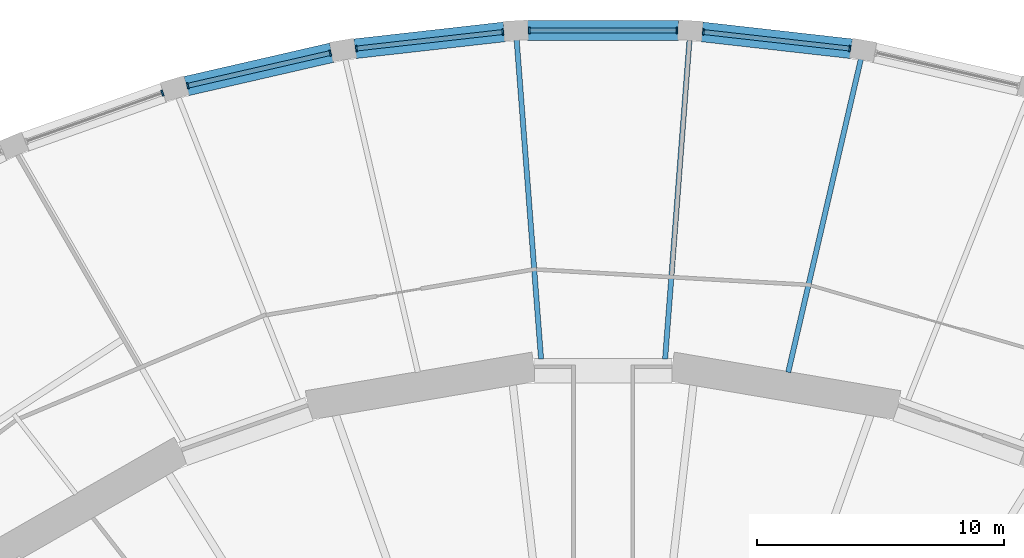
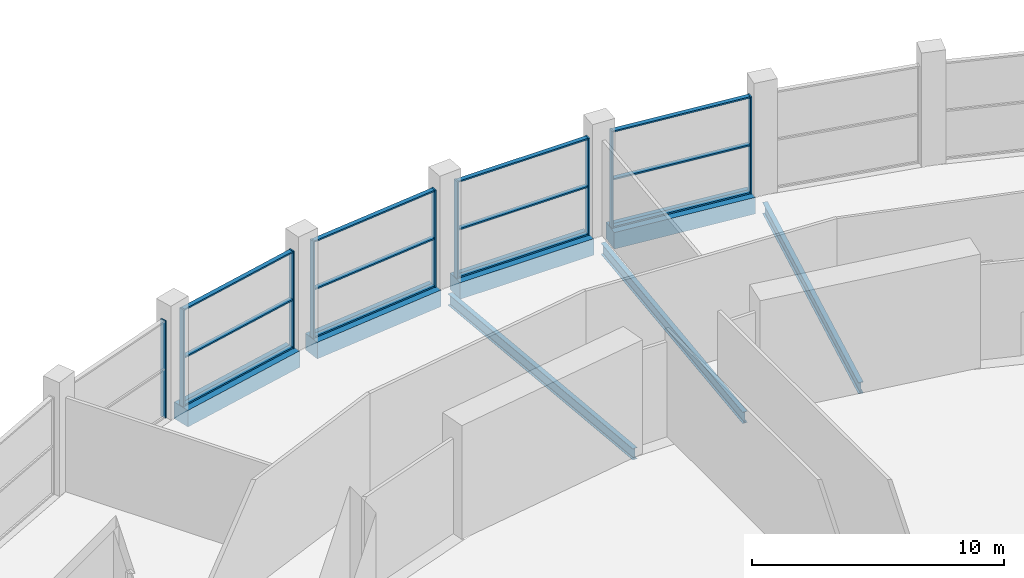
# One storey, part 15 of 29: 21 members, 7 beams, 5 elements without a shape of their own.
"""IFC4 building model written with IfcOpenShell, lengths in metres."""

from ifc_helpers import new_model, si_unit, direction, frame, origin, origin_2d, place, context, subcontext, project, spatial, rectangle, i_section, extrude, material, material_profile, profile_set, type_object, element, aggregate, save


model = new_model("IFC4")

# Units and contexts
model_context = context("Model", 3, precision=1e-05, world=origin(), true_north=direction((0.0, 1.0)))
body_context = subcontext(model_context, "Body", "Model", "MODEL_VIEW")
ifc_project = project(units=[si_unit("LENGTHUNIT", "METRE"), si_unit("AREAUNIT", "SQUARE_METRE"), si_unit("VOLUMEUNIT", "CUBIC_METRE"), si_unit("PLANEANGLEUNIT", "RADIAN"), si_unit("MASSUNIT", "GRAM", prefix="KILO")], contexts=[model_context])

# Site, building, storey
site_placement = place(None, origin())
site = spatial("IfcSite", under=ifc_project, at=site_placement, CompositionType="ELEMENT")
building_placement = place(site_placement, origin())
building = spatial("IfcBuilding", under=site, at=building_placement, Name="Halqa Exchange Tower", CompositionType="ELEMENT")
storey_placement = place(building_placement, frame((0.0, 0.0, 7.0)))
storey = spatial("IfcBuildingStorey", under=building, at=storey_placement, Name="L01", CompositionType="ELEMENT", Elevation=7.0)

# Curtain wall, members
ifc_material_1 = material(Name="Anodised aluminium and clear glass", Category="aluminium")
curtain_wall_type = type_object("IfcCurtainWallType", Name="Exchange hall glazing", PredefinedType="NOTDEFINED", material=ifc_material_1)
curtain_wall_1_placement = place(storey_placement, origin())
curtain_wall_1 = element("IfcCurtainWall", 1, at=curtain_wall_1_placement, inside=storey, type_object=curtain_wall_type, Name="Exchange hall glazing run P11", PredefinedType="NOTDEFINED")
ifc_material_2 = material(Name="Anodised aluminium", Category="aluminium")
ifc_material_profile_1 = material_profile(ifc_material_2, rectangle(XDim=0.25, YDim=0.070068359375, at=origin_2d()), Name="AL 70x250")
ifc_profile_set_1 = profile_set([ifc_material_profile_1], Name="Anodised aluminium")
member_type_1 = type_object("IfcMemberType", Name="Exchange hall glazing mullion 70 x 250", PredefinedType="MULLION", material=ifc_profile_set_1)
member_1_placement = place(storey_placement, frame((10.00341796875, 45.470458984375, 0.0), z_axis=(0.0, 0.0, 1.0), x_axis=(-0.112159098874, -0.993690261872, 0.0)))
member_1 = element("IfcMember", 2, at=member_1_placement, type_object=member_type_1, Name="P11 mullion 1", PredefinedType="MULLION", context=body_context, shape_type="SweptSolid", body=[
    extrude(rectangle(XDim=0.25, YDim=0.070068359375, at=origin_2d()), origin(), (0.0, 0.0, 1.0), 4.699951171875),
])
member_2_placement = place(storey_placement, frame((4.0634765625, 46.140869140625, 0.0), z_axis=(0.0, 0.0, 1.0), x_axis=(-0.112159098874, -0.993690261872, 0.0)))
member_2 = element("IfcMember", 3, at=member_2_placement, type_object=member_type_1, Name="P11 mullion 2", PredefinedType="MULLION", context=body_context, shape_type="SweptSolid", body=[
    extrude(rectangle(XDim=0.25, YDim=0.070068359375, at=origin_2d()), origin(), (0.0, 0.0, 1.0), 4.699951171875),
])

curtain_wall_2_placement = place(storey_placement, origin())
curtain_wall_2 = element("IfcCurtainWall", 4, at=curtain_wall_2_placement, inside=storey, type_object=curtain_wall_type, Name="Exchange hall glazing run P12", PredefinedType="NOTDEFINED")
member_3_placement = place(storey_placement, frame((2.996826171875, 46.200927734375, 0.0), z_axis=(0.0, 0.0, 1.0), x_axis=(0.0, -1.0, 0.0)))
member_3 = element("IfcMember", 5, at=member_3_placement, type_object=member_type_1, Name="P12 mullion 1", PredefinedType="MULLION", context=body_context, shape_type="SweptSolid", body=[
    extrude(rectangle(XDim=0.25, YDim=0.070068359375, at=origin_2d()), origin(), (0.0, 0.0, 1.0), 4.699951171875),
])
member_4_placement = place(storey_placement, frame((-2.996826171875, 46.200927734375, 0.0), z_axis=(0.0, 0.0, 1.0), x_axis=(0.0, -1.0, 0.0)))
member_4 = element("IfcMember", 6, at=member_4_placement, type_object=member_type_1, Name="P12 mullion 2", PredefinedType="MULLION", context=body_context, shape_type="SweptSolid", body=[
    extrude(rectangle(XDim=0.25, YDim=0.070068359375, at=origin_2d()), origin(), (0.0, 0.0, 1.0), 4.699951171875),
])

curtain_wall_3_placement = place(storey_placement, origin())
curtain_wall_3 = element("IfcCurtainWall", 7, at=curtain_wall_3_placement, inside=storey, type_object=curtain_wall_type, Name="Exchange hall glazing run P13", PredefinedType="NOTDEFINED")
member_5_placement = place(storey_placement, frame((-4.0634765625, 46.140869140625, 0.0), z_axis=(0.0, 0.0, 1.0), x_axis=(0.112159098874, -0.993690261872, 0.0)))
member_5 = element("IfcMember", 8, at=member_5_placement, type_object=member_type_1, Name="P13 mullion 1", PredefinedType="MULLION", context=body_context, shape_type="SweptSolid", body=[
    extrude(rectangle(XDim=0.25, YDim=0.070068359375, at=origin_2d()), origin(), (0.0, 0.0, 1.0), 4.699951171875),
])
member_6_placement = place(storey_placement, frame((-10.00341796875, 45.470458984375, 0.0), z_axis=(0.0, 0.0, 1.0), x_axis=(0.112159098874, -0.993690261872, 0.0)))
member_6 = element("IfcMember", 9, at=member_6_placement, type_object=member_type_1, Name="P13 mullion 2", PredefinedType="MULLION", context=body_context, shape_type="SweptSolid", body=[
    extrude(rectangle(XDim=0.25, YDim=0.070068359375, at=origin_2d()), origin(), (0.0, 0.0, 1.0), 4.699951171875),
])

curtain_wall_4_placement = place(storey_placement, origin())
curtain_wall_4 = element("IfcCurtainWall", 10, at=curtain_wall_4_placement, inside=storey, type_object=curtain_wall_type, Name="Exchange hall glazing run P14", PredefinedType="NOTDEFINED")
member_7_placement = place(storey_placement, frame((-11.056396484375, 45.29052734375, 0.0), z_axis=(0.0, 0.0, 1.0), x_axis=(0.223896655269, -0.974612891234, 0.0)))
member_7 = element("IfcMember", 11, at=member_7_placement, type_object=member_type_1, Name="P14 mullion 1", PredefinedType="MULLION", context=body_context, shape_type="SweptSolid", body=[
    extrude(rectangle(XDim=0.25, YDim=0.070068359375, at=origin_2d()), origin(), (0.0, 0.0, 1.0), 4.699951171875),
])
member_8_placement = place(storey_placement, frame((-16.836181640625, 43.962646484375, 0.0), z_axis=(0.0, 0.0, 1.0), x_axis=(0.223896655269, -0.974612891234, 0.0)))
member_8 = element("IfcMember", 12, at=member_8_placement, type_object=member_type_1, Name="P14 mullion 2", PredefinedType="MULLION", context=body_context, shape_type="SweptSolid", body=[
    extrude(rectangle(XDim=0.25, YDim=0.070068359375, at=origin_2d()), origin(), (0.0, 0.0, 1.0), 4.699951171875),
])

# Curtain wall, member
curtain_wall_5_placement = place(storey_placement, origin())
curtain_wall_5 = element("IfcCurtainWall", 13, at=curtain_wall_5_placement, inside=storey, type_object=curtain_wall_type, Name="Exchange hall glazing run P15", PredefinedType="NOTDEFINED")
member_9_placement = place(storey_placement, frame((-17.86181640625, 43.663818359375, 0.0), z_axis=(0.0, 0.0, 1.0), x_axis=(0.334688348326, -0.942328875444, 0.0)))
member_9 = element("IfcMember", 14, at=member_9_placement, type_object=member_type_1, Name="P15 mullion 1", PredefinedType="MULLION", context=body_context, shape_type="SweptSolid", body=[
    extrude(rectangle(XDim=0.25, YDim=0.070068359375, at=origin_2d()), origin(), (0.0, 0.0, 1.0), 4.699951171875),
])
aggregate(curtain_wall_5, [member_9])

# Member
ifc_material_profile_2 = material_profile(ifc_material_2, rectangle(XDim=0.199951171875, YDim=0.070068359375, at=origin_2d()), Name="AL 70x200")
ifc_profile_set_2 = profile_set([ifc_material_profile_2], Name="Anodised aluminium")
member_type_2 = type_object("IfcMemberType", Name="Exchange hall glazing transom 70 x 200", PredefinedType="USERDEFINED", material=ifc_profile_set_2)
member_10_placement = place(storey_placement, frame((9.968505859375, 45.474365234375, 0.034912109375), z_axis=(-0.993690216271, 0.112159502889, 0.0), x_axis=(-0.112159502889, -0.993690216271, 0.0)))
member_10 = element("IfcMember", 15, at=member_10_placement, type_object=member_type_2, Name="P11 transom 1.1", ObjectType="TRANSOM", PredefinedType="USERDEFINED", context=body_context, shape_type="SweptSolid", body=[
    extrude(rectangle(XDim=0.199951171875, YDim=0.070068359375, at=origin_2d()), origin(), (0.0, 0.0, 1.0), 5.90771484375),
])

member_11_placement = place(storey_placement, frame((9.968505859375, 45.474365234375, 2.35009765625), z_axis=(-0.993690216271, 0.112159502889, 0.0), x_axis=(-0.112159502889, -0.993690216271, 0.0)))
member_11 = element("IfcMember", 16, at=member_11_placement, type_object=member_type_2, Name="P11 transom 1.2", ObjectType="TRANSOM", PredefinedType="USERDEFINED", context=body_context, shape_type="SweptSolid", body=[
    extrude(rectangle(XDim=0.199951171875, YDim=0.070068359375, at=origin_2d()), origin(), (0.0, 0.0, 1.0), 5.90771484375),
])

member_12_placement = place(storey_placement, frame((9.968505859375, 45.474365234375, 4.6650390625), z_axis=(-0.993690216271, 0.112159502889, 0.0), x_axis=(-0.112159502889, -0.993690216271, 0.0)))
member_12 = element("IfcMember", 17, at=member_12_placement, type_object=member_type_2, Name="P11 transom 1.3", ObjectType="TRANSOM", PredefinedType="USERDEFINED", context=body_context, shape_type="SweptSolid", body=[
    extrude(rectangle(XDim=0.199951171875, YDim=0.070068359375, at=origin_2d()), origin(), (0.0, 0.0, 1.0), 5.90771484375),
])

aggregate(curtain_wall_1, [member_1, member_2, member_10, member_11, member_12])

member_13_placement = place(storey_placement, frame((2.9619140625, 46.200927734375, 0.034912109375), z_axis=(-1.0, 0.0, 0.0), x_axis=(0.0, -1.0, 0.0)))
member_13 = element("IfcMember", 18, at=member_13_placement, type_object=member_type_2, Name="P12 transom 1.1", ObjectType="TRANSOM", PredefinedType="USERDEFINED", context=body_context, shape_type="SweptSolid", body=[
    extrude(rectangle(XDim=0.199951171875, YDim=0.070068359375, at=origin_2d()), origin(), (0.0, 0.0, 1.0), 5.923828125),
])

member_14_placement = place(storey_placement, frame((2.9619140625, 46.200927734375, 2.35009765625), z_axis=(-1.0, 0.0, 0.0), x_axis=(0.0, -1.0, 0.0)))
member_14 = element("IfcMember", 19, at=member_14_placement, type_object=member_type_2, Name="P12 transom 1.2", ObjectType="TRANSOM", PredefinedType="USERDEFINED", context=body_context, shape_type="SweptSolid", body=[
    extrude(rectangle(XDim=0.199951171875, YDim=0.070068359375, at=origin_2d()), origin(), (0.0, 0.0, 1.0), 5.923828125),
])

member_15_placement = place(storey_placement, frame((2.9619140625, 46.200927734375, 4.6650390625), z_axis=(-1.0, 0.0, 0.0), x_axis=(0.0, -1.0, 0.0)))
member_15 = element("IfcMember", 20, at=member_15_placement, type_object=member_type_2, Name="P12 transom 1.3", ObjectType="TRANSOM", PredefinedType="USERDEFINED", context=body_context, shape_type="SweptSolid", body=[
    extrude(rectangle(XDim=0.199951171875, YDim=0.070068359375, at=origin_2d()), origin(), (0.0, 0.0, 1.0), 5.923828125),
])

aggregate(curtain_wall_2, [member_3, member_4, member_13, member_14, member_15])

member_16_placement = place(storey_placement, frame((-4.09814453125, 46.136962890625, 0.034912109375), z_axis=(-0.993690216271, -0.112159502889, 0.0), x_axis=(0.112159502889, -0.993690216271, 0.0)))
member_16 = element("IfcMember", 21, at=member_16_placement, type_object=member_type_2, Name="P13 transom 1.1", ObjectType="TRANSOM", PredefinedType="USERDEFINED", context=body_context, shape_type="SweptSolid", body=[
    extrude(rectangle(XDim=0.199951171875, YDim=0.070068359375, at=origin_2d()), origin(), (0.0, 0.0, 1.0), 5.90771484375),
])

member_17_placement = place(storey_placement, frame((-4.09814453125, 46.136962890625, 2.35009765625), z_axis=(-0.993690216271, -0.112159502889, 0.0), x_axis=(0.112159502889, -0.993690216271, 0.0)))
member_17 = element("IfcMember", 22, at=member_17_placement, type_object=member_type_2, Name="P13 transom 1.2", ObjectType="TRANSOM", PredefinedType="USERDEFINED", context=body_context, shape_type="SweptSolid", body=[
    extrude(rectangle(XDim=0.199951171875, YDim=0.070068359375, at=origin_2d()), origin(), (0.0, 0.0, 1.0), 5.90771484375),
])

member_18_placement = place(storey_placement, frame((-4.09814453125, 46.136962890625, 4.6650390625), z_axis=(-0.993690216271, -0.112159502889, 0.0), x_axis=(0.112159502889, -0.993690216271, 0.0)))
member_18 = element("IfcMember", 23, at=member_18_placement, type_object=member_type_2, Name="P13 transom 1.3", ObjectType="TRANSOM", PredefinedType="USERDEFINED", context=body_context, shape_type="SweptSolid", body=[
    extrude(rectangle(XDim=0.199951171875, YDim=0.070068359375, at=origin_2d()), origin(), (0.0, 0.0, 1.0), 5.90771484375),
])

aggregate(curtain_wall_3, [member_5, member_6, member_16, member_17, member_18])

member_19_placement = place(storey_placement, frame((-11.09033203125, 45.28271484375, 0.034912109375), z_axis=(-0.974610483498, -0.223907135784, 0.0), x_axis=(0.223907135784, -0.974610483498, 0.0)))
member_19 = element("IfcMember", 24, at=member_19_placement, type_object=member_type_2, Name="P14 transom 1.1", ObjectType="TRANSOM", PredefinedType="USERDEFINED", context=body_context, shape_type="SweptSolid", body=[
    extrude(rectangle(XDim=0.199951171875, YDim=0.070068359375, at=origin_2d()), origin(), (0.0, 0.0, 1.0), 5.860595703125),
])

member_20_placement = place(storey_placement, frame((-11.09033203125, 45.28271484375, 2.35009765625), z_axis=(-0.974610483498, -0.223907135784, 0.0), x_axis=(0.223907135784, -0.974610483498, 0.0)))
member_20 = element("IfcMember", 25, at=member_20_placement, type_object=member_type_2, Name="P14 transom 1.2", ObjectType="TRANSOM", PredefinedType="USERDEFINED", context=body_context, shape_type="SweptSolid", body=[
    extrude(rectangle(XDim=0.199951171875, YDim=0.070068359375, at=origin_2d()), origin(), (0.0, 0.0, 1.0), 5.860595703125),
])

member_21_placement = place(storey_placement, frame((-11.09033203125, 45.28271484375, 4.6650390625), z_axis=(-0.974610483498, -0.223907135784, 0.0), x_axis=(0.223907135784, -0.974610483498, 0.0)))
member_21 = element("IfcMember", 26, at=member_21_placement, type_object=member_type_2, Name="P14 transom 1.3", ObjectType="TRANSOM", PredefinedType="USERDEFINED", context=body_context, shape_type="SweptSolid", body=[
    extrude(rectangle(XDim=0.199951171875, YDim=0.070068359375, at=origin_2d()), origin(), (0.0, 0.0, 1.0), 5.860595703125),
])

aggregate(curtain_wall_4, [member_7, member_8, member_19, member_20, member_21])

# Beams
ifc_material_3 = material(Name="Steel S355", Category="steel")
ifc_material_profile_3 = material_profile(ifc_material_3, i_section(OverallWidth=0.2099609375, OverallDepth=0.550048828125, WebThickness=0.010986328125, FlangeThickness=0.01708984375, FilletRadius=0.02392578125, at=origin_2d()), Name="IPE 550")
ifc_profile_set_3 = profile_set([ifc_material_profile_3], Name="Steel S355")
beam_type_1 = type_object("IfcBeamType", Name="Floor beam IPE 550", PredefinedType="BEAM", material=ifc_profile_set_3)
beam_1_placement = place(storey_placement, frame((7.5048828125, 32.35009765625, -0.625), z_axis=(0.2259960959, 0.974128207495, 0.0), x_axis=(-0.974128207495, 0.2259960959, 0.0)))
element("IfcBeam", 27, at=beam_1_placement, inside=storey, type_object=beam_type_1, Name="Radial beam 11", PredefinedType="BEAM", context=body_context, shape_type="SweptSolid", body=[
    extrude(i_section(OverallWidth=0.2099609375, OverallDepth=0.550048828125, WebThickness=0.010986328125, FlangeThickness=0.01708984375, FilletRadius=0.02392578125, at=origin_2d()), origin(), (0.0, 0.0, 1.0), 13.03466796875),
])
for number, where, z_axis, x_axis, name in (
    (28, (2.513916015625, 32.88623046875, -0.625), (0.076223337155, 0.997090769626, 0.0), (-0.997090769626, 0.076223337155, 0.0), "Radial beam 12"),
    (29, (-2.513916015625, 32.88623046875, -0.625), (-0.076223337155, 0.997090769626, 0.0), (-0.997090769626, -0.076223337155, 0.0), "Radial beam 13"),
):
    element("IfcBeam", number, at=place(storey_placement, frame(where, z_axis=z_axis, x_axis=x_axis)), inside=storey, type_object=beam_type_1, Name=name, PredefinedType="BEAM", context=body_context, shape_type="SweptSolid", body=[
        extrude(i_section(OverallWidth=0.2099609375, OverallDepth=0.550048828125, WebThickness=0.010986328125, FlangeThickness=0.01708984375, FilletRadius=0.02392578125, at=origin_2d()), origin(), (0.0, 0.0, 1.0), 12.981689453125),
    ])
ifc_material_4 = material(Name="Concrete C60/75", Category="concrete")
ifc_material_profile_4 = material_profile(ifc_material_4, rectangle(XDim=0.800048828125, YDim=0.800048828125, at=origin_2d()), Name="800 x 800")
ifc_profile_set_4 = profile_set([ifc_material_profile_4], Name="Concrete C60/75")
beam_type_2 = type_object("IfcBeamType", Name="RC podium edge beam 800 x 800 C60/75", PredefinedType="SPANDREL", material=ifc_profile_set_4)
beam_2_placement = place(storey_placement, frame((10.064453125, 45.46337890625, -0.39990234375), z_axis=(-0.993688954696, 0.112170679393, 0.0), x_axis=(-0.112170679393, -0.993688954696, 0.0)))
element("IfcBeam", 30, at=beam_2_placement, inside=storey, type_object=beam_type_2, Name="Podium edge beam 11", PredefinedType="SPANDREL", context=body_context, shape_type="SweptSolid", body=[
    extrude(rectangle(XDim=0.800048828125, YDim=0.800048828125, at=origin_2d()), origin(), (0.0, 0.0, 1.0), 6.100830078125),
])
beam_3_placement = place(storey_placement, frame((3.05859375, 46.200927734375, -0.39990234375), z_axis=(-1.0, 0.0, 0.0), x_axis=(0.0, -1.0, 0.0)))
element("IfcBeam", 31, at=beam_3_placement, inside=storey, type_object=beam_type_2, Name="Podium edge beam 12", PredefinedType="SPANDREL", context=body_context, shape_type="SweptSolid", body=[
    extrude(rectangle(XDim=0.800048828125, YDim=0.800048828125, at=origin_2d()), origin(), (0.0, 0.0, 1.0), 6.1171875),
])
beam_4_placement = place(storey_placement, frame((-4.002197265625, 46.147705078125, -0.39990234375), z_axis=(-0.993688954696, -0.112170679393, 0.0), x_axis=(0.112170679393, -0.993688954696, 0.0)))
element("IfcBeam", 32, at=beam_4_placement, inside=storey, type_object=beam_type_2, Name="Podium edge beam 13", PredefinedType="SPANDREL", context=body_context, shape_type="SweptSolid", body=[
    extrude(rectangle(XDim=0.800048828125, YDim=0.800048828125, at=origin_2d()), origin(), (0.0, 0.0, 1.0), 6.100830078125),
])
beam_5_placement = place(storey_placement, frame((-10.99658203125, 45.304443359375, -0.39990234375), z_axis=(-0.974604133477, -0.223934774008, 0.0), x_axis=(0.223934774008, -0.974604133477, 0.0)))
element("IfcBeam", 33, at=beam_5_placement, inside=storey, type_object=beam_type_2, Name="Podium edge beam 14", PredefinedType="SPANDREL", context=body_context, shape_type="SweptSolid", body=[
    extrude(rectangle(XDim=0.800048828125, YDim=0.800048828125, at=origin_2d()), origin(), (0.0, 0.0, 1.0), 6.05517578125),
])

save(model, "model.ifc")
